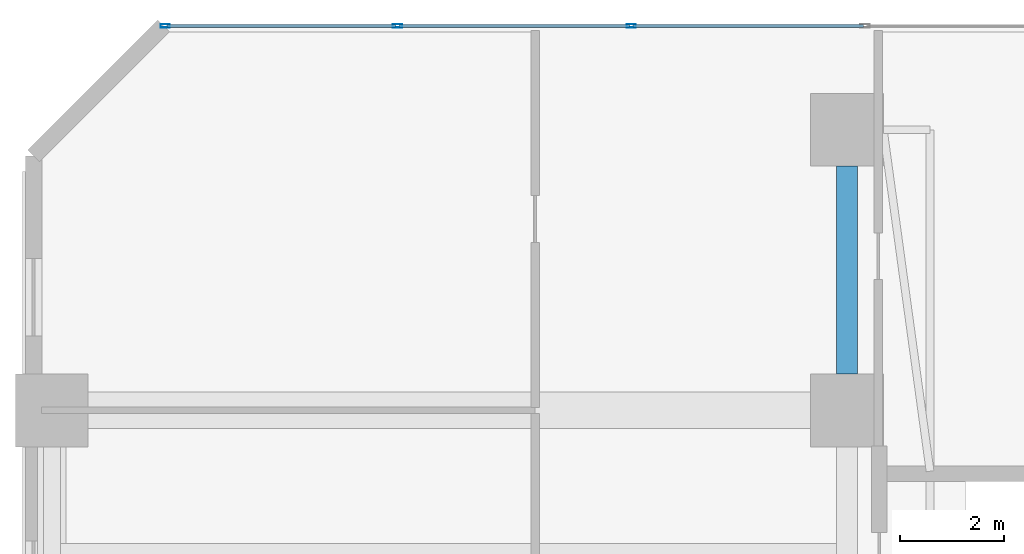
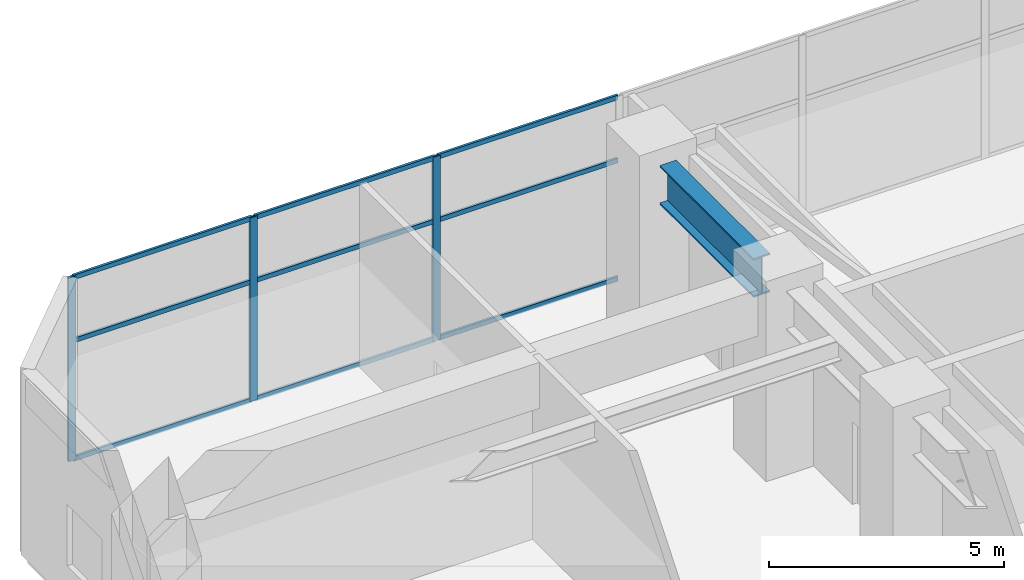
# One storey, part 13 of 29: 12 members, 1 beam, 1 element without a shape of its own.
"""IFC4 building model written with IfcOpenShell, lengths in metres."""

import ifcopenshell
import ifcopenshell.guid

model = None  # the IFC model being written
_history = None  # IfcOwnerHistory: only IFC2X3 demands one
_inside = {}  # id of a spatial element -> (the spatial element, [elements in it])
_under = {}  # id of a project, library or spatial element -> (it, [spatial elements below it])
_declared = {}  # id of a project -> (the project, [libraries it declares])
_typed = {}  # id of a type object -> (the type object, [elements of that type])
_made_of = {}  # id of a material, layer set ... -> (it, [elements and type objects made of it])


def new_model(schema):
    """Start an empty IFC model of exactly this schema.

    Asked for "IFC4X3", IfcOpenShell would pick the latest addendum, in which some entities
    have other attributes; the version numbers below select the first issue.
    IFC2X3 requires an IfcOwnerHistory on every rooted entity: one is made here for all.
    """
    global model, _history
    if schema == "IFC4X3":
        model = ifcopenshell.file(schema_version=(4, 3, 0, 0))
    else:
        model = ifcopenshell.file(schema=schema)
    _inside.clear()
    _under.clear()
    _declared.clear()
    _typed.clear()
    _made_of.clear()
    _history = None
    if model.schema == "IFC2X3":
        org = make("IfcOrganization", Name="unknown")
        user = make(
            "IfcPersonAndOrganization",
            ThePerson=make("IfcPerson", FamilyName="unknown"),
            TheOrganization=org,
        )
        app = make(
            "IfcApplication",
            ApplicationDeveloper=org,
            Version="unknown",
            ApplicationFullName="unknown",
            ApplicationIdentifier="unknown",
        )
        _history = make(
            "IfcOwnerHistory",
            OwningUser=user,
            OwningApplication=app,
            ChangeAction="ADDED",
            CreationDate=0,
        )
    return model


def make(cls, **values):
    """One entity of the class cls with the attributes given. An attribute that is None is left unset."""
    return model.create_entity(
        cls, **{name: value for name, value in values.items() if value is not None}
    )


def rooted(cls, **values):
    """An entity with a GlobalId (a new one), such as an element, a storey or a relation."""
    return make(cls, GlobalId=ifcopenshell.guid.new(), OwnerHistory=_history, **values)


def si_unit(unit_type, name, prefix=None):
    """IfcSIUnit, for example si_unit("LENGTHUNIT", "METRE", prefix="MILLI")."""
    return make("IfcSIUnit", UnitType=unit_type, Prefix=prefix, Name=name)


def assignment(units):
    """IfcUnitAssignment: the units of a project."""
    return None if units is None else make("IfcUnitAssignment", Units=units)


def point(xyz):
    """IfcCartesianPoint."""
    return None if xyz is None else make("IfcCartesianPoint", Coordinates=xyz)


def direction(xyz):
    """IfcDirection."""
    return None if xyz is None else make("IfcDirection", DirectionRatios=xyz)


def frame(location, z_axis=None, x_axis=None):
    """IfcAxis2Placement3D, a coordinate frame: its origin and axes. An axis left out is left unset."""
    return make(
        "IfcAxis2Placement3D",
        Location=point(location),
        Axis=direction(z_axis),
        RefDirection=direction(x_axis),
    )


def frame_2d(location, x_axis=None):
    """IfcAxis2Placement2D, a coordinate frame in the plane: its origin and x axis."""
    return make(
        "IfcAxis2Placement2D", Location=point(location), RefDirection=direction(x_axis)
    )


def origin():
    """The frame at (0, 0, 0) with its axes left unset."""
    return frame((0.0, 0.0, 0.0))


def origin_2d():
    """The frame at (0, 0) in the plane with its x axis left unset."""
    return frame_2d((0.0, 0.0))


def place(relative_to, where):
    """IfcLocalPlacement: puts the frame where relative to a parent placement (None: the world)."""
    return make(
        "IfcLocalPlacement", PlacementRelTo=relative_to, RelativePlacement=where
    )


def context(
    kind, dimensions, precision=None, world=None, true_north=None, identifier=None
):
    """IfcGeometricRepresentationContext, for example the 3D "Model" context."""
    return make(
        "IfcGeometricRepresentationContext",
        ContextIdentifier=identifier,
        ContextType=kind,
        CoordinateSpaceDimension=dimensions,
        Precision=precision,
        WorldCoordinateSystem=world,
        TrueNorth=true_north,
    )


def subcontext(parent, identifier, kind, view, scale=None):
    """IfcGeometricRepresentationSubContext, for example "Body" below "Model"."""
    return make(
        "IfcGeometricRepresentationSubContext",
        ContextIdentifier=identifier,
        ContextType=kind,
        ParentContext=parent,
        TargetScale=scale,
        TargetView=view,
    )


def project(units=None, contexts=None):
    """IfcProject with its units and contexts."""
    return rooted(
        "IfcProject",
        Name="project",
        RepresentationContexts=contexts,
        UnitsInContext=assignment(units),
    )


def spatial(cls, under=None, at=None, **own):
    """A site, building, storey or space (cls), placed at a placement, below another one or the project."""
    s = rooted(cls, ObjectPlacement=at, **own)
    if under is not None:
        _under.setdefault(under.id(), (under, []))[1].append(s)
    return s


def profile(cls, at=None, kind="AREA", **sizes):
    """A parametric profile (cls). Its sizes go by their IFC names, for example OverallWidth=200.0."""
    return make(cls, ProfileType=kind, Position=at, **sizes)


def hollow_rectangle(**sizes):
    """IfcRectangleHollowProfileDef."""
    return profile("IfcRectangleHollowProfileDef", **sizes)


def i_section(**sizes):
    """IfcIShapeProfileDef."""
    return profile("IfcIShapeProfileDef", **sizes)


def extrude(swept, where, along, depth):
    """IfcExtrudedAreaSolid: the profile swept, set in the frame where, extruded along a direction by depth."""
    return make(
        "IfcExtrudedAreaSolid",
        SweptArea=swept,
        Position=where,
        ExtrudedDirection=direction(along),
        Depth=depth,
    )


def shape(context_of_items, identifier, shape_type, items):
    """IfcShapeRepresentation: the items that make up one representation, for example the "Body"."""
    return make(
        "IfcShapeRepresentation",
        ContextOfItems=context_of_items,
        RepresentationIdentifier=identifier,
        RepresentationType=shape_type,
        Items=items,
    )


def material(Name=None, Category=None):
    """IfcMaterial."""
    return make("IfcMaterial", Name=Name, Category=Category)


def layer(
    of_material, thickness, ventilated=None, Name=None, Category=None, Priority=None
):
    """IfcMaterialLayer: one layer of a wall or slab, of a material (None: an air gap)."""
    return make(
        "IfcMaterialLayer",
        Material=of_material,
        LayerThickness=thickness,
        IsVentilated=ventilated,
        Name=Name,
        Category=Category,
        Priority=Priority,
    )


def layer_set(layers, Name=None):
    """IfcMaterialLayerSet."""
    return make("IfcMaterialLayerSet", MaterialLayers=layers, LayerSetName=Name)


def material_profile(
    of_material, cross_section, Name=None, Category=None, Priority=None
):
    """IfcMaterialProfile: a cross section and its material."""
    return make(
        "IfcMaterialProfile",
        Name=Name,
        Material=of_material,
        Profile=cross_section,
        Priority=Priority,
        Category=Category,
    )


def profile_set(profiles, Name=None, composite=None):
    """IfcMaterialProfileSet."""
    return make(
        "IfcMaterialProfileSet",
        Name=Name,
        MaterialProfiles=profiles,
        CompositeProfile=composite,
    )


def made_of(thing, what):
    """Note that an element or type object is made of a material, layer set ...; save() writes the relation."""
    if what is not None:
        _made_of.setdefault(what.id(), (what, []))[1].append(thing)
    return thing


def type_object(cls, material=None, **own):
    """A type object (cls), such as IfcWallType, which elements share."""
    return made_of(rooted(cls, **own), material)


def element(
    cls,
    number,
    at=None,
    inside=None,
    cuts=None,
    type_object=None,
    material=None,
    context=None,
    identifier="Body",
    shape_type=None,
    held_by="IfcProductDefinitionShape",
    body=None,
    shapes=None,
    **own,
):
    """One element of the class cls, such as IfcWall. Its Tag is "e" and its number.

    at: its placement. inside: the storey or other place that contains it. cuts: it is an
    opening in that element (IfcRelVoidsElement). A single representation is given by context,
    identifier, shape_type and body (its items); several are given by shapes. held_by: the class
    of the entity that holds the representations. save() writes the other relations.
    """
    e = rooted(cls, Tag="e%d" % number, ObjectPlacement=at, **own)
    if body is not None:
        shapes = [shape(context, identifier, shape_type, body)]
    if shapes is not None:
        e.Representation = make(held_by, Representations=shapes)
    if inside is not None:
        _inside.setdefault(inside.id(), (inside, []))[1].append(e)
    if cuts is not None:
        rooted(
            "IfcRelVoidsElement", RelatingBuildingElement=cuts, RelatedOpeningElement=e
        )
    if type_object is not None:
        _typed.setdefault(type_object.id(), (type_object, []))[1].append(e)
    return made_of(e, material)


def aggregate(whole, parts):
    """IfcRelAggregates: a whole, such as a stair, and the parts it consists of."""
    return rooted("IfcRelAggregates", RelatingObject=whole, RelatedObjects=parts)


def save(model, path):
    """Write the relations noted so far, then the file.

    IfcRelAggregates (storeys below a building ...), IfcRelContainedInSpatialStructure (elements
    in a storey), IfcRelDefinesByType, IfcRelAssociatesMaterial and IfcRelDeclares: one each for
    every whole, place, type object, material and project.
    """
    for whole, parts in _under.values():
        aggregate(whole, parts)
    for where, things in _inside.values():
        rooted(
            "IfcRelContainedInSpatialStructure",
            RelatedElements=things,
            RelatingStructure=where,
        )
    for kind, things in _typed.values():
        rooted("IfcRelDefinesByType", RelatedObjects=things, RelatingType=kind)
    for what, things in _made_of.values():
        rooted("IfcRelAssociatesMaterial", RelatedObjects=things, RelatingMaterial=what)
    for by, libraries in _declared.values():
        rooted("IfcRelDeclares", RelatingContext=by, RelatedDefinitions=libraries)
    model.write(path)


model = new_model("IFC4")

# Units and contexts
model_context = context("Model", 3, precision=1e-05, world=origin(), true_north=direction((0.0, 1.0)))
body_context = subcontext(model_context, "Body", "Model", "MODEL_VIEW")
ifc_project = project(units=[si_unit("LENGTHUNIT", "METRE"), si_unit("AREAUNIT", "SQUARE_METRE"), si_unit("VOLUMEUNIT", "CUBIC_METRE"), si_unit("PLANEANGLEUNIT", "RADIAN"), si_unit("MASSUNIT", "GRAM", prefix="KILO")], contexts=[model_context])

# Site, building, storey
site_placement = place(None, origin())
site = spatial("IfcSite", under=ifc_project, at=site_placement, CompositionType="ELEMENT")
building_placement = place(site_placement, origin())
building = spatial("IfcBuilding", under=site, at=building_placement, Name="Mawjaban Terraces University", CompositionType="ELEMENT")
storey_placement = place(building_placement, frame((0.0, 0.0, 20.800048828125)))
storey = spatial("IfcBuildingStorey", under=building, at=storey_placement, Name="L04", CompositionType="ELEMENT", Elevation=20.800048828125)

# Beam
ifc_material_1 = material(Name="Steel ASTM A913 Grade 65", Category="steel")
ifc_material_profile_1 = material_profile(ifc_material_1, i_section(OverallWidth=0.402099609375, OverallDepth=1.011962890625, WebThickness=0.02392578125, FlangeThickness=0.0400390625, at=origin_2d()), Name="W1000X443")
ifc_profile_set_1 = profile_set([ifc_material_profile_1], Name="Steel ASTM A913 Grade 65")
beam_type = type_object("IfcBeamType", Name="Beam_B_W1000X443", PredefinedType="BEAM", material=ifc_profile_set_1)
beam_placement = place(storey_placement, frame((37.64990234375, 47.300048828125, 4.27392578125), z_axis=(0.0, 1.0, 0.0), x_axis=(-1.0, 0.0, 0.0)))
element("IfcBeam", 1, at=beam_placement, inside=storey, type_object=beam_type, Name="L04 Beam BM-L04-NS-12", PredefinedType="BEAM", context=body_context, shape_type="SweptSolid", body=[
    extrude(i_section(OverallWidth=0.402099609375, OverallDepth=1.011962890625, WebThickness=0.02392578125, FlangeThickness=0.0400390625, at=origin_2d()), origin(), (0.0, 0.0, 1.0), 4.0),
])

# Curtain wall, members
ifc_material_2 = material(Name="Anodised aluminium 6063-T6 and solar-control low-E glass", Category="aluminium")
ifc_layer = layer(ifc_material_2, 0.175048828125)
ifc_layer_set = layer_set([ifc_layer], Name="Anodised aluminium 6063-T6 and solar-control low-E glass")
curtain_wall_type = type_object("IfcCurtainWallType", Name="CWSystem_02_PodiumLibrary", PredefinedType="NOTDEFINED", material=ifc_layer_set)
curtain_wall_placement = place(storey_placement, origin())
curtain_wall = element("IfcCurtainWall", 2, at=curtain_wall_placement, inside=storey, type_object=curtain_wall_type, Name="L04 Curtain Wall CW-02 Run 8.1", PredefinedType="NOTDEFINED")
ifc_material_3 = material(Name="Anodised aluminium 6063-T6", Category="aluminium")
ifc_material_profile_2 = material_profile(ifc_material_3, hollow_rectangle(XDim=0.06494140625, YDim=0.179931640625, WallThickness=0.00390625, at=origin_2d()), Name="ALU180X65X4")
ifc_profile_set_2 = profile_set([ifc_material_profile_2], Name="Anodised aluminium 6063-T6")
member_type_1 = type_object("IfcMemberType", Name="Mullion_CW-02", PredefinedType="MULLION", material=ifc_profile_set_2)
member_1_placement = place(storey_placement, frame((33.5, 54.0, 0.0), z_axis=(0.0, 0.0, 1.0), x_axis=(0.0, -1.0, 0.0)))
member_1 = element("IfcMember", 3, at=member_1_placement, type_object=member_type_1, Name="CW-02 mullion 5", PredefinedType="MULLION", context=body_context, shape_type="SweptSolid", body=[
    extrude(hollow_rectangle(XDim=0.06494140625, YDim=0.179931640625, WallThickness=0.00390625, at=origin_2d()), origin(), (0.0, 0.0, 1.0), 4.780029296875),
])
member_2_placement = place(storey_placement, frame((29.0, 54.0, 0.0), z_axis=(0.0, 0.0, 1.0), x_axis=(0.0, -1.0, 0.0)))
member_2 = element("IfcMember", 4, at=member_2_placement, type_object=member_type_1, Name="CW-02 mullion 6", PredefinedType="MULLION", context=body_context, shape_type="SweptSolid", body=[
    extrude(hollow_rectangle(XDim=0.06494140625, YDim=0.179931640625, WallThickness=0.00390625, at=origin_2d()), origin(), (0.0, 0.0, 1.0), 4.780029296875),
])
member_3_placement = place(storey_placement, frame((24.532470703125, 54.0, 0.0), z_axis=(0.0, 0.0, 1.0), x_axis=(0.0, -1.0, 0.0)))
member_3 = element("IfcMember", 5, at=member_3_placement, type_object=member_type_1, Name="CW-02 mullion 7", PredefinedType="MULLION", context=body_context, shape_type="SweptSolid", body=[
    extrude(hollow_rectangle(XDim=0.06494140625, YDim=0.179931640625, WallThickness=0.00390625, at=origin_2d()), origin(), (0.0, 0.0, 1.0), 4.780029296875),
])
ifc_material_profile_3 = material_profile(ifc_material_3, hollow_rectangle(XDim=0.06005859375, YDim=0.1201171875, WallThickness=0.00341796875, at=origin_2d()), Name="ALU120X60X3.5")
ifc_profile_set_3 = profile_set([ifc_material_profile_3], Name="Anodised aluminium 6063-T6")
member_type_2 = type_object("IfcMemberType", Name="Transom_CW-02", PredefinedType="NOTDEFINED", material=ifc_profile_set_3)
member_4_placement = place(storey_placement, frame((37.967529296875, 54.0, 0.030029296875), z_axis=(-1.0, 0.0, 0.0), x_axis=(0.0, -1.0, 0.0)))
member_4 = element("IfcMember", 6, at=member_4_placement, type_object=member_type_2, Name="CW-02 transom 4.1", ObjectType="TRANSOM", PredefinedType="USERDEFINED", context=body_context, shape_type="SweptSolid", body=[
    extrude(hollow_rectangle(XDim=0.06005859375, YDim=0.1201171875, WallThickness=0.00341796875, at=origin_2d()), origin(), (0.0, 0.0, 1.0), 4.43505859375),
])
member_5_placement = place(storey_placement, frame((37.967529296875, 54.0, 3.10693359375), z_axis=(-1.0, 0.0, 0.0), x_axis=(0.0, -1.0, 0.0)))
member_5 = element("IfcMember", 7, at=member_5_placement, type_object=member_type_2, Name="CW-02 transom 4.2", ObjectType="TRANSOM", PredefinedType="USERDEFINED", context=body_context, shape_type="SweptSolid", body=[
    extrude(hollow_rectangle(XDim=0.06005859375, YDim=0.1201171875, WallThickness=0.00341796875, at=origin_2d()), origin(), (0.0, 0.0, 1.0), 4.43505859375),
])
member_6_placement = place(storey_placement, frame((37.967529296875, 54.0, 4.75), z_axis=(-1.0, 0.0, 0.0), x_axis=(0.0, -1.0, 0.0)))
member_6 = element("IfcMember", 8, at=member_6_placement, type_object=member_type_2, Name="CW-02 transom 4.3", ObjectType="TRANSOM", PredefinedType="USERDEFINED", context=body_context, shape_type="SweptSolid", body=[
    extrude(hollow_rectangle(XDim=0.06005859375, YDim=0.1201171875, WallThickness=0.00341796875, at=origin_2d()), origin(), (0.0, 0.0, 1.0), 4.43505859375),
])
member_7_placement = place(storey_placement, frame((33.467529296875, 54.0, 0.030029296875), z_axis=(-1.0, 0.0, 0.0), x_axis=(0.0, -1.0, 0.0)))
member_7 = element("IfcMember", 9, at=member_7_placement, type_object=member_type_2, Name="CW-02 transom 5.1", ObjectType="TRANSOM", PredefinedType="USERDEFINED", context=body_context, shape_type="SweptSolid", body=[
    extrude(hollow_rectangle(XDim=0.06005859375, YDim=0.1201171875, WallThickness=0.00341796875, at=origin_2d()), origin(), (0.0, 0.0, 1.0), 4.43505859375),
])
member_8_placement = place(storey_placement, frame((33.467529296875, 54.0, 3.10693359375), z_axis=(-1.0, 0.0, 0.0), x_axis=(0.0, -1.0, 0.0)))
member_8 = element("IfcMember", 10, at=member_8_placement, type_object=member_type_2, Name="CW-02 transom 5.2", ObjectType="TRANSOM", PredefinedType="USERDEFINED", context=body_context, shape_type="SweptSolid", body=[
    extrude(hollow_rectangle(XDim=0.06005859375, YDim=0.1201171875, WallThickness=0.00341796875, at=origin_2d()), origin(), (0.0, 0.0, 1.0), 4.43505859375),
])
member_9_placement = place(storey_placement, frame((33.467529296875, 54.0, 4.75), z_axis=(-1.0, 0.0, 0.0), x_axis=(0.0, -1.0, 0.0)))
member_9 = element("IfcMember", 11, at=member_9_placement, type_object=member_type_2, Name="CW-02 transom 5.3", ObjectType="TRANSOM", PredefinedType="USERDEFINED", context=body_context, shape_type="SweptSolid", body=[
    extrude(hollow_rectangle(XDim=0.06005859375, YDim=0.1201171875, WallThickness=0.00341796875, at=origin_2d()), origin(), (0.0, 0.0, 1.0), 4.43505859375),
])
member_10_placement = place(storey_placement, frame((28.967529296875, 54.0, 0.030029296875), z_axis=(-1.0, 0.0, 0.0), x_axis=(0.0, -1.0, 0.0)))
member_10 = element("IfcMember", 12, at=member_10_placement, type_object=member_type_2, Name="CW-02 transom 6.1", ObjectType="TRANSOM", PredefinedType="USERDEFINED", context=body_context, shape_type="SweptSolid", body=[
    extrude(hollow_rectangle(XDim=0.06005859375, YDim=0.1201171875, WallThickness=0.00341796875, at=origin_2d()), origin(), (0.0, 0.0, 1.0), 4.402587890625),
])
member_11_placement = place(storey_placement, frame((28.967529296875, 54.0, 3.10693359375), z_axis=(-1.0, 0.0, 0.0), x_axis=(0.0, -1.0, 0.0)))
member_11 = element("IfcMember", 13, at=member_11_placement, type_object=member_type_2, Name="CW-02 transom 6.2", ObjectType="TRANSOM", PredefinedType="USERDEFINED", context=body_context, shape_type="SweptSolid", body=[
    extrude(hollow_rectangle(XDim=0.06005859375, YDim=0.1201171875, WallThickness=0.00341796875, at=origin_2d()), origin(), (0.0, 0.0, 1.0), 4.402587890625),
])
member_12_placement = place(storey_placement, frame((28.967529296875, 54.0, 4.75), z_axis=(-1.0, 0.0, 0.0), x_axis=(0.0, -1.0, 0.0)))
member_12 = element("IfcMember", 14, at=member_12_placement, type_object=member_type_2, Name="CW-02 transom 6.3", ObjectType="TRANSOM", PredefinedType="USERDEFINED", context=body_context, shape_type="SweptSolid", body=[
    extrude(hollow_rectangle(XDim=0.06005859375, YDim=0.1201171875, WallThickness=0.00341796875, at=origin_2d()), origin(), (0.0, 0.0, 1.0), 4.402587890625),
])
aggregate(curtain_wall, [member_1, member_2, member_3, member_4, member_5, member_6, member_7, member_8, member_9, member_10, member_11, member_12])

save(model, "model.ifc")
